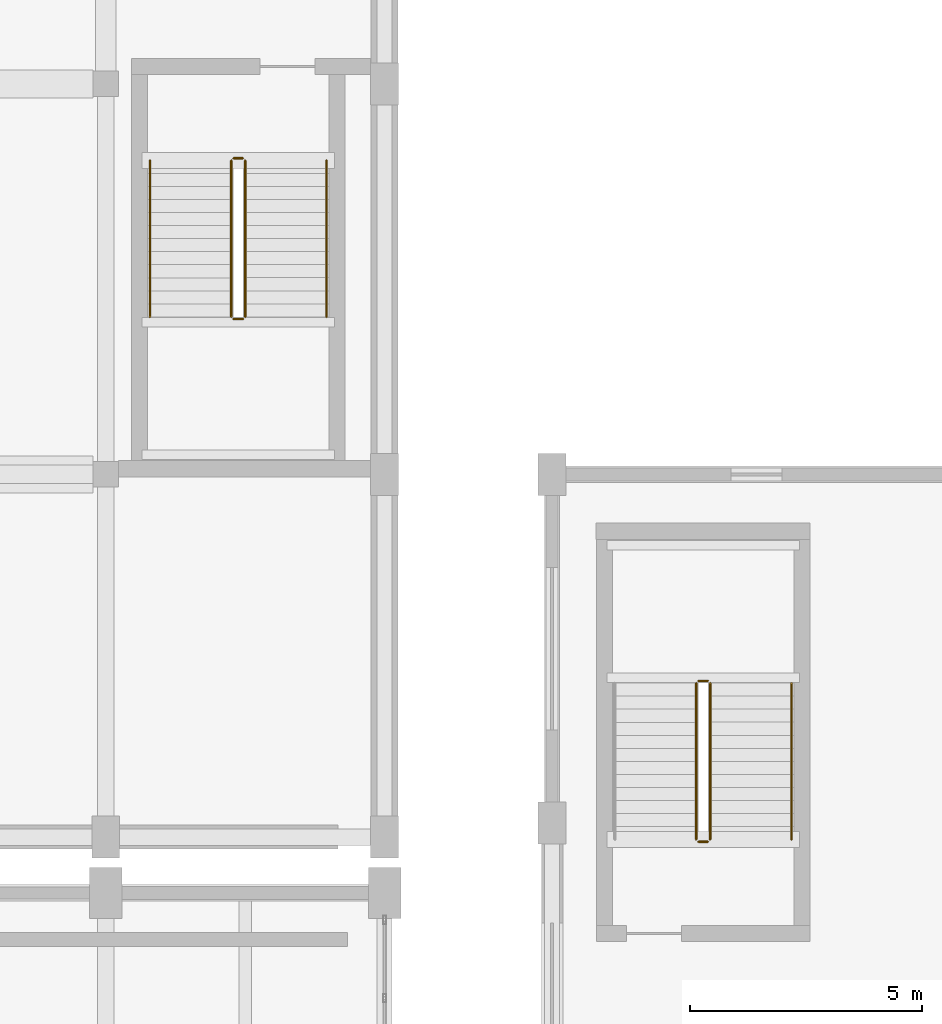
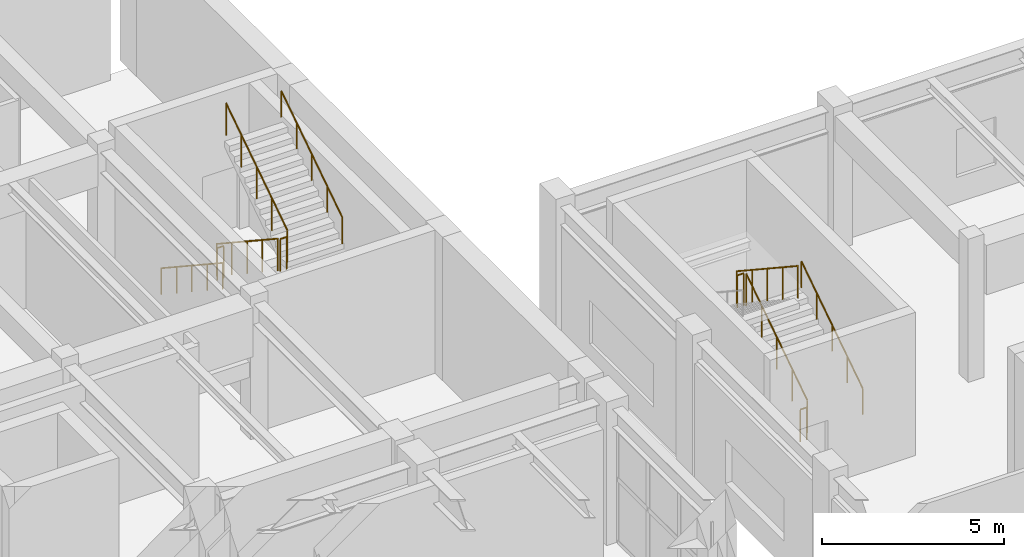
# One storey, part 79 of 80: 11 railings.
"""IFC4 building model written with IfcOpenShell, lengths in metres."""

from ifc_helpers import new_model, si_unit, direction, frame, origin, origin_2d, place, context, subcontext, project, spatial, circle, extrude, material, type_object, element, save


model = new_model("IFC4")

# Units and contexts
model_context = context("Model", 3, precision=1e-05, world=origin(), true_north=direction((0.0, 1.0)))
body_context = subcontext(model_context, "Body", "Model", "MODEL_VIEW")
ifc_project = project(units=[si_unit("LENGTHUNIT", "METRE"), si_unit("AREAUNIT", "SQUARE_METRE"), si_unit("VOLUMEUNIT", "CUBIC_METRE"), si_unit("PLANEANGLEUNIT", "RADIAN"), si_unit("MASSUNIT", "GRAM", prefix="KILO")], contexts=[model_context])

# Site, building, storey
site_placement = place(None, origin())
site = spatial("IfcSite", under=ifc_project, at=site_placement, CompositionType="ELEMENT")
building_placement = place(site_placement, origin())
building = spatial("IfcBuilding", under=site, at=building_placement, Name="Vaelkrest Opera House", CompositionType="ELEMENT")
storey_placement = place(building_placement, frame((0.0, 0.0, 15.0)))
storey = spatial("IfcBuildingStorey", under=building, at=storey_placement, Name="L03", CompositionType="ELEMENT", Elevation=15.0)

# Railings
ifc_material = material(Name="Dark bronze anodized aluminium", Category="aluminium")
railing_type_1 = type_object("IfcRailingType", Name="GR02", PredefinedType="GUARDRAIL", material=ifc_material)
railing_1_placement = place(storey_placement, frame((26.699951171875, 31.949951171875, 0.1845703125)))
element("IfcRailing", 1, at=railing_1_placement, inside=storey, type_object=railing_type_1, Name="L03 ST06 stair guard 1", PredefinedType="GUARDRAIL", context=body_context, shape_type="SweptSolid", body=[
    extrude(circle(Radius=0.02392578125, at=origin_2d()), frame((0.0, 0.0, 1.076171875), z_axis=(0.0, -0.834858096282, 0.550465220583), x_axis=(1.0, 0.0, 0.0)), (0.0, 0.0, 1.0), 4.0244140625),
    extrude(circle(Radius=0.02099609375, at=origin_2d()), origin(), (0.0, 0.0, 1.0), 1.052001953125),
    extrude(circle(Radius=0.02099609375, at=origin_2d()), frame((0.0, -0.83984375, 0.5537109375)), (0.0, 0.0, 1.0), 1.052001953125),
    extrude(circle(Radius=0.02099609375, at=origin_2d()), frame((0.0, -1.679931640625, 1.107666015625)), (0.0, 0.0, 1.0), 1.052001953125),
    extrude(circle(Radius=0.02099609375, at=origin_2d()), frame((0.0, -2.52001953125, 1.66162109375)), (0.0, 0.0, 1.0), 1.052001953125),
    extrude(circle(Radius=0.02099609375, at=origin_2d()), frame((0.0, -3.35986328125, 2.21533203125)), (0.0, 0.0, 1.0), 1.052001953125),
])
railing_2_placement = place(storey_placement, frame((26.75, 28.5400390625, 2.39990234375)))
element("IfcRailing", 2, at=railing_2_placement, inside=storey, type_object=railing_type_1, Name="L03 ST06 stair guard 2", PredefinedType="GUARDRAIL", context=body_context, shape_type="SweptSolid", body=[
    extrude(circle(Radius=0.02392578125, at=origin_2d()), frame((0.0, 0.0, 1.076171875), z_axis=(1.0, 0.0, 0.0), x_axis=(0.0, 1.0, 0.0)), (0.0, 0.0, 1.0), 0.199951171875),
    extrude(circle(Radius=0.02099609375, at=origin_2d()), origin(), (0.0, 0.0, 1.0), 1.052001953125),
    extrude(circle(Radius=0.02099609375, at=origin_2d()), frame((0.199951171875, 0.0, 0.0)), (0.0, 0.0, 1.0), 1.052001953125),
])
railing_3_placement = place(storey_placement, frame((27.0, 28.590087890625, 2.584716796875)))
element("IfcRailing", 3, at=railing_3_placement, inside=storey, type_object=railing_type_1, Name="L03 ST06 stair guard 3", PredefinedType="GUARDRAIL", context=body_context, shape_type="SweptSolid", body=[
    extrude(circle(Radius=0.02392578125, at=origin_2d()), frame((0.0, 0.0, 1.076171875), z_axis=(0.0, 0.834858096282, 0.550465220583), x_axis=(-1.0, 0.0, 0.0)), (0.0, 0.0, 1.0), 4.0244140625),
    extrude(circle(Radius=0.02099609375, at=origin_2d()), origin(), (0.0, 0.0, 1.0), 1.052001953125),
    extrude(circle(Radius=0.02099609375, at=origin_2d()), frame((0.0, 0.83984375, 0.5537109375)), (0.0, 0.0, 1.0), 1.052001953125),
    extrude(circle(Radius=0.02099609375, at=origin_2d()), frame((0.0, 1.679931640625, 1.107666015625)), (0.0, 0.0, 1.0), 1.052001953125),
    extrude(circle(Radius=0.02099609375, at=origin_2d()), frame((0.0, 2.52001953125, 1.66162109375)), (0.0, 0.0, 1.0), 1.052001953125),
    extrude(circle(Radius=0.02099609375, at=origin_2d()), frame((0.0, 3.35986328125, 2.21533203125)), (0.0, 0.0, 1.0), 1.052001953125),
])
railing_4_placement = place(storey_placement, frame((26.75, 32.0, 0.0)))
element("IfcRailing", 4, at=railing_4_placement, inside=storey, type_object=railing_type_1, Name="L03 ST06 stair guard 4", PredefinedType="GUARDRAIL", context=body_context, shape_type="SweptSolid", body=[
    extrude(circle(Radius=0.02392578125, at=origin_2d()), frame((0.0, 0.0, 1.076171875), z_axis=(1.0, 0.0, 0.0), x_axis=(0.0, 1.0, 0.0)), (0.0, 0.0, 1.0), 0.199951171875),
    extrude(circle(Radius=0.02099609375, at=origin_2d()), origin(), (0.0, 0.0, 1.0), 1.052001953125),
    extrude(circle(Radius=0.02099609375, at=origin_2d()), frame((0.199951171875, 0.0, 0.0)), (0.0, 0.0, 1.0), 1.052001953125),
])
railing_5_placement = place(storey_placement, frame((37.0, 17.35009765625, 0.1845703125)))
element("IfcRailing", 5, at=railing_5_placement, inside=storey, type_object=railing_type_1, Name="L03 ST09 stair guard 1", PredefinedType="GUARDRAIL", context=body_context, shape_type="SweptSolid", body=[
    extrude(circle(Radius=0.02392578125, at=origin_2d()), frame((0.0, 0.0, 1.076171875), z_axis=(0.0, 0.834858096282, 0.550465220583), x_axis=(-1.0, 0.0, 0.0)), (0.0, 0.0, 1.0), 4.0244140625),
    extrude(circle(Radius=0.02099609375, at=origin_2d()), origin(), (0.0, 0.0, 1.0), 1.052001953125),
    extrude(circle(Radius=0.02099609375, at=origin_2d()), frame((0.0, 0.83984375, 0.5537109375)), (0.0, 0.0, 1.0), 1.052001953125),
    extrude(circle(Radius=0.02099609375, at=origin_2d()), frame((0.0, 1.679931640625, 1.107666015625)), (0.0, 0.0, 1.0), 1.052001953125),
    extrude(circle(Radius=0.02099609375, at=origin_2d()), frame((0.0, 2.52001953125, 1.66162109375)), (0.0, 0.0, 1.0), 1.052001953125),
    extrude(circle(Radius=0.02099609375, at=origin_2d()), frame((0.0, 3.35986328125, 2.21533203125)), (0.0, 0.0, 1.0), 1.052001953125),
])
railing_6_placement = place(storey_placement, frame((36.949951171875, 20.760009765625, 2.39990234375)))
element("IfcRailing", 6, at=railing_6_placement, inside=storey, type_object=railing_type_1, Name="L03 ST09 stair guard 2", PredefinedType="GUARDRAIL", context=body_context, shape_type="SweptSolid", body=[
    extrude(circle(Radius=0.02392578125, at=origin_2d()), frame((0.0, 0.0, 1.076171875), z_axis=(-1.0, 0.0, 0.0), x_axis=(0.0, -1.0, 0.0)), (0.0, 0.0, 1.0), 0.199951171875),
    extrude(circle(Radius=0.02099609375, at=origin_2d()), origin(), (0.0, 0.0, 1.0), 1.052001953125),
    extrude(circle(Radius=0.02099609375, at=origin_2d()), frame((-0.199951171875, 0.0, 0.0)), (0.0, 0.0, 1.0), 1.052001953125),
])
railing_7_placement = place(storey_placement, frame((36.699951171875, 20.7099609375, 2.584716796875)))
element("IfcRailing", 7, at=railing_7_placement, inside=storey, type_object=railing_type_1, Name="L03 ST09 stair guard 3", PredefinedType="GUARDRAIL", context=body_context, shape_type="SweptSolid", body=[
    extrude(circle(Radius=0.02392578125, at=origin_2d()), frame((0.0, 0.0, 1.076171875), z_axis=(0.0, -0.834858096282, 0.550465220583), x_axis=(1.0, 0.0, 0.0)), (0.0, 0.0, 1.0), 4.0244140625),
    extrude(circle(Radius=0.02099609375, at=origin_2d()), origin(), (0.0, 0.0, 1.0), 1.052001953125),
    extrude(circle(Radius=0.02099609375, at=origin_2d()), frame((0.0, -0.83984375, 0.5537109375)), (0.0, 0.0, 1.0), 1.052001953125),
    extrude(circle(Radius=0.02099609375, at=origin_2d()), frame((0.0, -1.679931640625, 1.107666015625)), (0.0, 0.0, 1.0), 1.052001953125),
    extrude(circle(Radius=0.02099609375, at=origin_2d()), frame((0.0, -2.52001953125, 1.66162109375)), (0.0, 0.0, 1.0), 1.052001953125),
    extrude(circle(Radius=0.02099609375, at=origin_2d()), frame((0.0, -3.35986328125, 2.21533203125)), (0.0, 0.0, 1.0), 1.052001953125),
])
railing_8_placement = place(storey_placement, frame((36.949951171875, 17.300048828125, 0.0)))
element("IfcRailing", 8, at=railing_8_placement, inside=storey, type_object=railing_type_1, Name="L03 ST09 stair guard 4", PredefinedType="GUARDRAIL", context=body_context, shape_type="SweptSolid", body=[
    extrude(circle(Radius=0.02392578125, at=origin_2d()), frame((0.0, 0.0, 1.076171875), z_axis=(-1.0, 0.0, 0.0), x_axis=(0.0, -1.0, 0.0)), (0.0, 0.0, 1.0), 0.199951171875),
    extrude(circle(Radius=0.02099609375, at=origin_2d()), origin(), (0.0, 0.0, 1.0), 1.052001953125),
    extrude(circle(Radius=0.02099609375, at=origin_2d()), frame((-0.199951171875, 0.0, 0.0)), (0.0, 0.0, 1.0), 1.052001953125),
])
railing_type_2 = type_object("IfcRailingType", Name="HR02", PredefinedType="HANDRAIL", material=ifc_material)
railing_9_placement = place(storey_placement, frame((24.949951171875, 31.949951171875, 0.1845703125)))
element("IfcRailing", 9, at=railing_9_placement, inside=storey, type_object=railing_type_2, Name="L03 ST06 stair handrail 1", PredefinedType="HANDRAIL", context=body_context, shape_type="SweptSolid", body=[
    extrude(circle(Radius=0.02392578125, at=origin_2d()), frame((0.0, 0.0, 0.8759765625), z_axis=(0.0, -0.834858096282, 0.550465220583), x_axis=(1.0, 0.0, 0.0)), (0.0, 0.0, 1.0), 4.0244140625),
    extrude(circle(Radius=0.02099609375, at=origin_2d()), origin(), (0.0, 0.0, 1.0), 0.851806640625),
    extrude(circle(Radius=0.02099609375, at=origin_2d()), frame((0.0, -0.83984375, 0.5537109375)), (0.0, 0.0, 1.0), 0.851806640625),
    extrude(circle(Radius=0.02099609375, at=origin_2d()), frame((0.0, -1.679931640625, 1.107666015625)), (0.0, 0.0, 1.0), 0.851806640625),
    extrude(circle(Radius=0.02099609375, at=origin_2d()), frame((0.0, -2.52001953125, 1.66162109375)), (0.0, 0.0, 1.0), 0.851806640625),
    extrude(circle(Radius=0.02099609375, at=origin_2d()), frame((0.0, -3.35986328125, 2.21533203125)), (0.0, 0.0, 1.0), 0.851806640625),
])
for number, where, name in (
    (10, (28.75, 28.590087890625, 2.584716796875), "L03 ST06 stair handrail 2"),
    (11, (38.75, 17.35009765625, 0.1845703125), "L03 ST09 stair handrail 1"),
):
    element("IfcRailing", number, at=place(storey_placement, frame(where)), inside=storey, type_object=railing_type_2, Name=name, PredefinedType="HANDRAIL", context=body_context, shape_type="SweptSolid", body=[
        extrude(circle(Radius=0.02392578125, at=origin_2d()), frame((0.0, 0.0, 0.8759765625), z_axis=(0.0, 0.834858096282, 0.550465220583), x_axis=(-1.0, 0.0, 0.0)), (0.0, 0.0, 1.0), 4.0244140625),
        extrude(circle(Radius=0.02099609375, at=origin_2d()), origin(), (0.0, 0.0, 1.0), 0.851806640625),
        extrude(circle(Radius=0.02099609375, at=origin_2d()), frame((0.0, 0.83984375, 0.5537109375)), (0.0, 0.0, 1.0), 0.851806640625),
        extrude(circle(Radius=0.02099609375, at=origin_2d()), frame((0.0, 1.679931640625, 1.107666015625)), (0.0, 0.0, 1.0), 0.851806640625),
        extrude(circle(Radius=0.02099609375, at=origin_2d()), frame((0.0, 2.52001953125, 1.66162109375)), (0.0, 0.0, 1.0), 0.851806640625),
        extrude(circle(Radius=0.02099609375, at=origin_2d()), frame((0.0, 3.35986328125, 2.21533203125)), (0.0, 0.0, 1.0), 0.851806640625),
    ])

save(model, "model.ifc")
